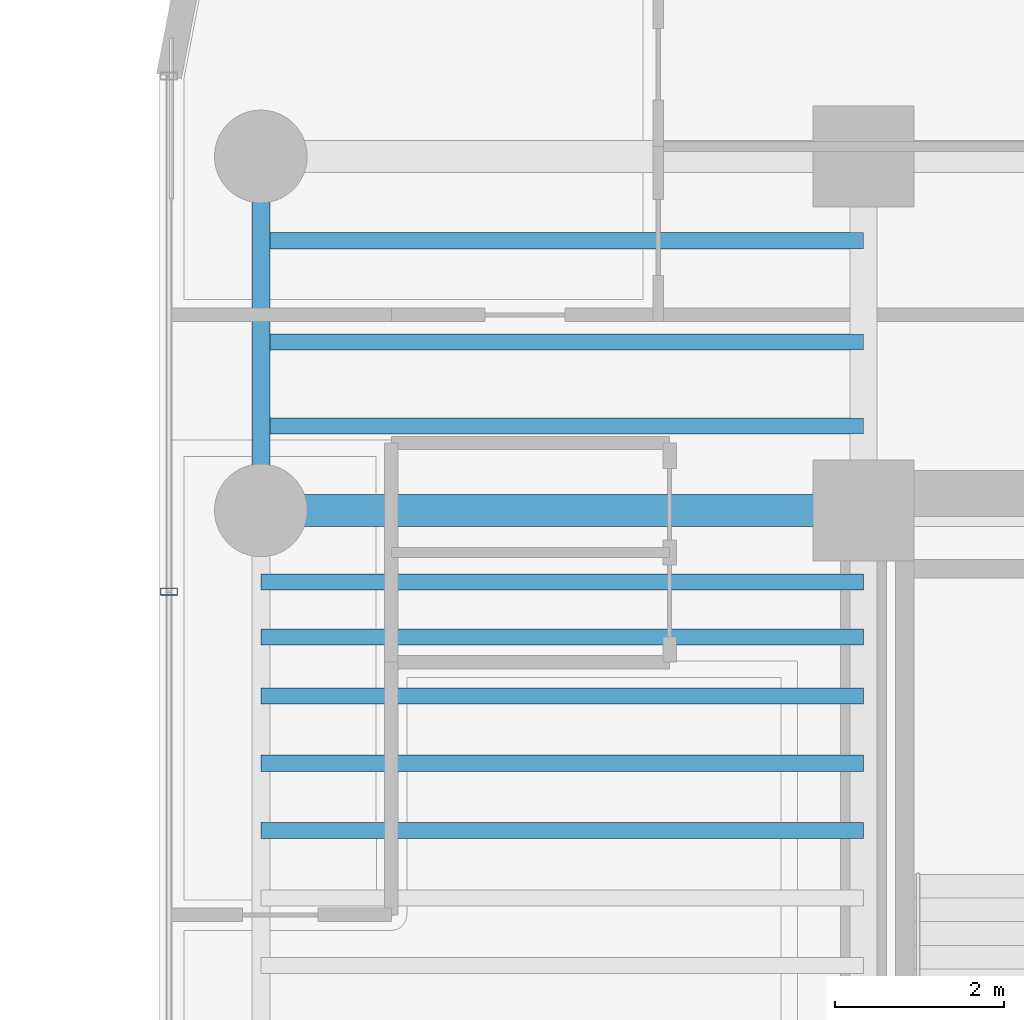
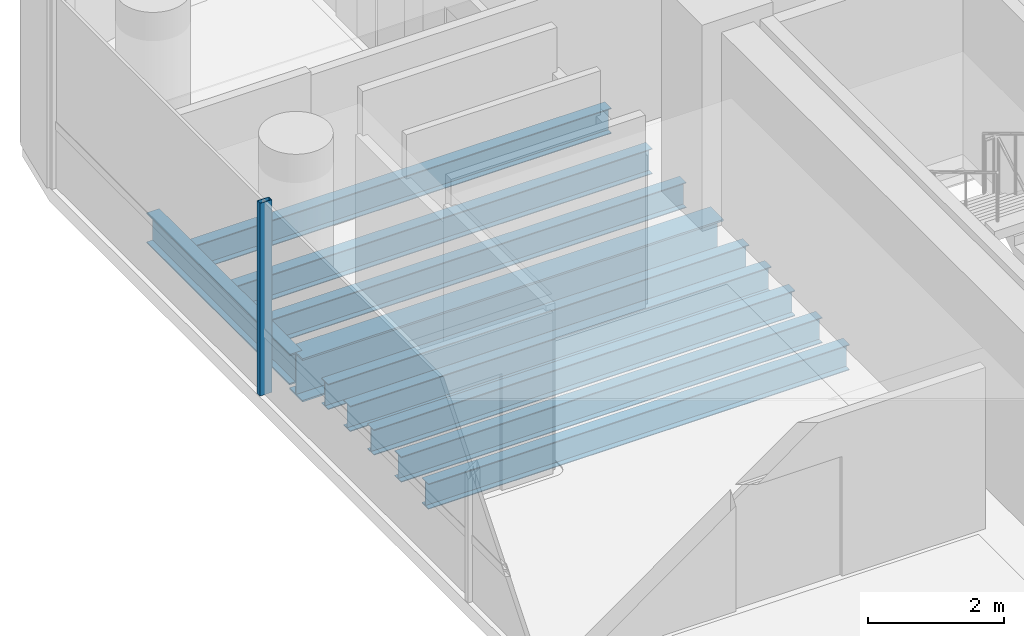
# One storey, part 10 of 34: 10 beams, 1 member, 1 element without a shape of its own.
"""IFC4 building model written with IfcOpenShell, lengths in metres."""

import ifcopenshell
import ifcopenshell.guid

model = None  # the IFC model being written
_history = None  # IfcOwnerHistory: only IFC2X3 demands one
_inside = {}  # id of a spatial element -> (the spatial element, [elements in it])
_under = {}  # id of a project, library or spatial element -> (it, [spatial elements below it])
_declared = {}  # id of a project -> (the project, [libraries it declares])
_typed = {}  # id of a type object -> (the type object, [elements of that type])
_made_of = {}  # id of a material, layer set ... -> (it, [elements and type objects made of it])


def new_model(schema):
    """Start an empty IFC model of exactly this schema.

    Asked for "IFC4X3", IfcOpenShell would pick the latest addendum, in which some entities
    have other attributes; the version numbers below select the first issue.
    IFC2X3 requires an IfcOwnerHistory on every rooted entity: one is made here for all.
    """
    global model, _history
    if schema == "IFC4X3":
        model = ifcopenshell.file(schema_version=(4, 3, 0, 0))
    else:
        model = ifcopenshell.file(schema=schema)
    _inside.clear()
    _under.clear()
    _declared.clear()
    _typed.clear()
    _made_of.clear()
    _history = None
    if model.schema == "IFC2X3":
        org = make("IfcOrganization", Name="unknown")
        user = make(
            "IfcPersonAndOrganization",
            ThePerson=make("IfcPerson", FamilyName="unknown"),
            TheOrganization=org,
        )
        app = make(
            "IfcApplication",
            ApplicationDeveloper=org,
            Version="unknown",
            ApplicationFullName="unknown",
            ApplicationIdentifier="unknown",
        )
        _history = make(
            "IfcOwnerHistory",
            OwningUser=user,
            OwningApplication=app,
            ChangeAction="ADDED",
            CreationDate=0,
        )
    return model


def make(cls, **values):
    """One entity of the class cls with the attributes given. An attribute that is None is left unset."""
    return model.create_entity(
        cls, **{name: value for name, value in values.items() if value is not None}
    )


def rooted(cls, **values):
    """An entity with a GlobalId (a new one), such as an element, a storey or a relation."""
    return make(cls, GlobalId=ifcopenshell.guid.new(), OwnerHistory=_history, **values)


def si_unit(unit_type, name, prefix=None):
    """IfcSIUnit, for example si_unit("LENGTHUNIT", "METRE", prefix="MILLI")."""
    return make("IfcSIUnit", UnitType=unit_type, Prefix=prefix, Name=name)


def assignment(units):
    """IfcUnitAssignment: the units of a project."""
    return None if units is None else make("IfcUnitAssignment", Units=units)


def point(xyz):
    """IfcCartesianPoint."""
    return None if xyz is None else make("IfcCartesianPoint", Coordinates=xyz)


def direction(xyz):
    """IfcDirection."""
    return None if xyz is None else make("IfcDirection", DirectionRatios=xyz)


def frame(location, z_axis=None, x_axis=None):
    """IfcAxis2Placement3D, a coordinate frame: its origin and axes. An axis left out is left unset."""
    return make(
        "IfcAxis2Placement3D",
        Location=point(location),
        Axis=direction(z_axis),
        RefDirection=direction(x_axis),
    )


def frame_2d(location, x_axis=None):
    """IfcAxis2Placement2D, a coordinate frame in the plane: its origin and x axis."""
    return make(
        "IfcAxis2Placement2D", Location=point(location), RefDirection=direction(x_axis)
    )


def origin():
    """The frame at (0, 0, 0) with its axes left unset."""
    return frame((0.0, 0.0, 0.0))


def origin_2d():
    """The frame at (0, 0) in the plane with its x axis left unset."""
    return frame_2d((0.0, 0.0))


def place(relative_to, where):
    """IfcLocalPlacement: puts the frame where relative to a parent placement (None: the world)."""
    return make(
        "IfcLocalPlacement", PlacementRelTo=relative_to, RelativePlacement=where
    )


def context(
    kind, dimensions, precision=None, world=None, true_north=None, identifier=None
):
    """IfcGeometricRepresentationContext, for example the 3D "Model" context."""
    return make(
        "IfcGeometricRepresentationContext",
        ContextIdentifier=identifier,
        ContextType=kind,
        CoordinateSpaceDimension=dimensions,
        Precision=precision,
        WorldCoordinateSystem=world,
        TrueNorth=true_north,
    )


def subcontext(parent, identifier, kind, view, scale=None):
    """IfcGeometricRepresentationSubContext, for example "Body" below "Model"."""
    return make(
        "IfcGeometricRepresentationSubContext",
        ContextIdentifier=identifier,
        ContextType=kind,
        ParentContext=parent,
        TargetScale=scale,
        TargetView=view,
    )


def project(units=None, contexts=None):
    """IfcProject with its units and contexts."""
    return rooted(
        "IfcProject",
        Name="project",
        RepresentationContexts=contexts,
        UnitsInContext=assignment(units),
    )


def spatial(cls, under=None, at=None, **own):
    """A site, building, storey or space (cls), placed at a placement, below another one or the project."""
    s = rooted(cls, ObjectPlacement=at, **own)
    if under is not None:
        _under.setdefault(under.id(), (under, []))[1].append(s)
    return s


def profile(cls, at=None, kind="AREA", **sizes):
    """A parametric profile (cls). Its sizes go by their IFC names, for example OverallWidth=200.0."""
    return make(cls, ProfileType=kind, Position=at, **sizes)


def hollow_rectangle(**sizes):
    """IfcRectangleHollowProfileDef."""
    return profile("IfcRectangleHollowProfileDef", **sizes)


def i_section(**sizes):
    """IfcIShapeProfileDef."""
    return profile("IfcIShapeProfileDef", **sizes)


def extrude(swept, where, along, depth):
    """IfcExtrudedAreaSolid: the profile swept, set in the frame where, extruded along a direction by depth."""
    return make(
        "IfcExtrudedAreaSolid",
        SweptArea=swept,
        Position=where,
        ExtrudedDirection=direction(along),
        Depth=depth,
    )


def shape(context_of_items, identifier, shape_type, items):
    """IfcShapeRepresentation: the items that make up one representation, for example the "Body"."""
    return make(
        "IfcShapeRepresentation",
        ContextOfItems=context_of_items,
        RepresentationIdentifier=identifier,
        RepresentationType=shape_type,
        Items=items,
    )


def source(mapping_origin, context_of_items, identifier, shape_type, items):
    """IfcRepresentationMap: a shape defined once, which mapped items show again and again."""
    return make(
        "IfcRepresentationMap",
        MappingOrigin=mapping_origin,
        MappedRepresentation=shape(context_of_items, identifier, shape_type, items),
    )


def transform(
    local_origin,
    x_axis=None,
    y_axis=None,
    z_axis=None,
    scale=None,
    scale2=None,
    scale3=None,
    uniform=True,
):
    """IfcCartesianTransformationOperator3D, or its non-uniform kind. x_axis, y_axis, z_axis: its Axis1, 2, 3."""
    if uniform:
        return make(
            "IfcCartesianTransformationOperator3D",
            Axis1=direction(x_axis),
            Axis2=direction(y_axis),
            LocalOrigin=point(local_origin),
            Scale=scale,
            Axis3=direction(z_axis),
        )
    return make(
        "IfcCartesianTransformationOperator3DnonUniform",
        Axis1=direction(x_axis),
        Axis2=direction(y_axis),
        LocalOrigin=point(local_origin),
        Scale=scale,
        Axis3=direction(z_axis),
        Scale2=scale2,
        Scale3=scale3,
    )


def mapped(mapping_source, mapping_target):
    """IfcMappedItem: shows the shape of a source again, moved by a transform."""
    return make(
        "IfcMappedItem", MappingSource=mapping_source, MappingTarget=mapping_target
    )


def material(Name=None, Category=None):
    """IfcMaterial."""
    return make("IfcMaterial", Name=Name, Category=Category)


def material_profile(
    of_material, cross_section, Name=None, Category=None, Priority=None
):
    """IfcMaterialProfile: a cross section and its material."""
    return make(
        "IfcMaterialProfile",
        Name=Name,
        Material=of_material,
        Profile=cross_section,
        Priority=Priority,
        Category=Category,
    )


def profile_set(profiles, Name=None, composite=None):
    """IfcMaterialProfileSet."""
    return make(
        "IfcMaterialProfileSet",
        Name=Name,
        MaterialProfiles=profiles,
        CompositeProfile=composite,
    )


def made_of(thing, what):
    """Note that an element or type object is made of a material, layer set ...; save() writes the relation."""
    if what is not None:
        _made_of.setdefault(what.id(), (what, []))[1].append(thing)
    return thing


def type_object(cls, material=None, **own):
    """A type object (cls), such as IfcWallType, which elements share."""
    return made_of(rooted(cls, **own), material)


def element(
    cls,
    number,
    at=None,
    inside=None,
    cuts=None,
    type_object=None,
    material=None,
    context=None,
    identifier="Body",
    shape_type=None,
    held_by="IfcProductDefinitionShape",
    body=None,
    shapes=None,
    **own,
):
    """One element of the class cls, such as IfcWall. Its Tag is "e" and its number.

    at: its placement. inside: the storey or other place that contains it. cuts: it is an
    opening in that element (IfcRelVoidsElement). A single representation is given by context,
    identifier, shape_type and body (its items); several are given by shapes. held_by: the class
    of the entity that holds the representations. save() writes the other relations.
    """
    e = rooted(cls, Tag="e%d" % number, ObjectPlacement=at, **own)
    if body is not None:
        shapes = [shape(context, identifier, shape_type, body)]
    if shapes is not None:
        e.Representation = make(held_by, Representations=shapes)
    if inside is not None:
        _inside.setdefault(inside.id(), (inside, []))[1].append(e)
    if cuts is not None:
        rooted(
            "IfcRelVoidsElement", RelatingBuildingElement=cuts, RelatedOpeningElement=e
        )
    if type_object is not None:
        _typed.setdefault(type_object.id(), (type_object, []))[1].append(e)
    return made_of(e, material)


def aggregate(whole, parts):
    """IfcRelAggregates: a whole, such as a stair, and the parts it consists of."""
    return rooted("IfcRelAggregates", RelatingObject=whole, RelatedObjects=parts)


def save(model, path):
    """Write the relations noted so far, then the file.

    IfcRelAggregates (storeys below a building ...), IfcRelContainedInSpatialStructure (elements
    in a storey), IfcRelDefinesByType, IfcRelAssociatesMaterial and IfcRelDeclares: one each for
    every whole, place, type object, material and project.
    """
    for whole, parts in _under.values():
        aggregate(whole, parts)
    for where, things in _inside.values():
        rooted(
            "IfcRelContainedInSpatialStructure",
            RelatedElements=things,
            RelatingStructure=where,
        )
    for kind, things in _typed.values():
        rooted("IfcRelDefinesByType", RelatedObjects=things, RelatingType=kind)
    for what, things in _made_of.values():
        rooted("IfcRelAssociatesMaterial", RelatedObjects=things, RelatingMaterial=what)
    for by, libraries in _declared.values():
        rooted("IfcRelDeclares", RelatingContext=by, RelatedDefinitions=libraries)
    model.write(path)


model = new_model("IFC4")

# Units and contexts
model_context = context("Model", 3, precision=1e-05, world=origin(), true_north=direction((0.0, 1.0)))
body_context = subcontext(model_context, "Body", "Model", "MODEL_VIEW")
ifc_project = project(units=[si_unit("LENGTHUNIT", "METRE"), si_unit("AREAUNIT", "SQUARE_METRE"), si_unit("VOLUMEUNIT", "CUBIC_METRE"), si_unit("PLANEANGLEUNIT", "RADIAN"), si_unit("MASSUNIT", "GRAM", prefix="KILO")], contexts=[model_context])

# Site, building, storey
site_placement = place(None, origin())
site = spatial("IfcSite", under=ifc_project, at=site_placement, CompositionType="ELEMENT")
building_placement = place(site_placement, origin())
building = spatial("IfcBuilding", under=site, at=building_placement, Name="Valdorenza Pilgrim Sanctuary Tower", CompositionType="ELEMENT")
storey_placement = place(building_placement, frame((0.0, 0.0, 164.89990234375)))
storey = spatial("IfcBuildingStorey", under=building, at=storey_placement, Name="L42", CompositionType="ELEMENT", Elevation=164.89990234375)

# Beams
ifc_material_1 = material(Name="Steel ASTM A992 Grade 50", Category="steel")
ifc_material_profile_1 = material_profile(ifc_material_1, i_section(OverallWidth=0.214111328125, OverallDepth=0.549072265625, WebThickness=0.0146484375, FlangeThickness=0.023681640625, at=origin_2d()), Name="W21X93")
ifc_profile_set_1 = profile_set([ifc_material_profile_1], Name="Steel ASTM A992 Grade 50")
beam_type_1 = type_object("IfcBeamType", Name="STR-BM-SPN-W21A", PredefinedType="SPANDREL", material=ifc_profile_set_1)
shared_shape_1 = source(origin(), body_context, "Body", "SweptSolid", [
    extrude(i_section(OverallWidth=0.214111328125, OverallDepth=0.549072265625, WebThickness=0.0146484375, FlangeThickness=0.023681640625, at=origin_2d()), origin(), (0.0, 0.0, 1.0), 4.199951171875),
])
beam_1_placement = place(storey_placement, frame((-29.800048828125, 10.60009765625, -0.514404296875), z_axis=(0.0, 1.0, 0.0), x_axis=(-1.0, 0.0, 0.0)))
element("IfcBeam", 1, at=beam_1_placement, inside=storey, type_object=beam_type_1, Name="L42 Spandrel Beam WA-W-N1N2", PredefinedType="SPANDREL", context=body_context, shape_type="MappedRepresentation", body=[
    mapped(shared_shape_1, transform((0.0, 0.0, 0.0), x_axis=(1.0, 0.0, 0.0), y_axis=(0.0, 1.0, 0.0), z_axis=(0.0, 0.0, 1.0), scale=1.0)),
])
ifc_material_profile_2 = material_profile(ifc_material_1, i_section(OverallWidth=0.382080078125, OverallDepth=0.779052734375, WebThickness=0.01806640625, FlangeThickness=0.030029296875, at=origin_2d()), Name="W30X191")
ifc_profile_set_2 = profile_set([ifc_material_profile_2], Name="Steel ASTM A992 Grade 50")
beam_type_2 = type_object("IfcBeamType", Name="STR-BM-GRD-W30", PredefinedType="BEAM", material=ifc_profile_set_2)
shared_shape_2 = source(origin(), body_context, "Body", "SweptSolid", [
    extrude(i_section(OverallWidth=0.382080078125, OverallDepth=0.779052734375, WebThickness=0.01806640625, FlangeThickness=0.030029296875, at=origin_2d()), origin(), (0.0, 0.0, 1.0), 7.150146484375),
])
beam_2_placement = place(storey_placement, frame((-29.800048828125, 10.60009765625, -0.62939453125), z_axis=(1.0, 0.0, 0.0), x_axis=(0.0, 1.0, 0.0)))
element("IfcBeam", 2, at=beam_2_placement, inside=storey, type_object=beam_type_2, Name="L42 Floor Girder WA-XW-N1", PredefinedType="BEAM", context=body_context, shape_type="MappedRepresentation", body=[
    mapped(shared_shape_2, transform((0.0, 0.0, 0.0), x_axis=(1.0, 0.0, 0.0), y_axis=(0.0, 1.0, 0.0), z_axis=(0.0, 0.0, 1.0), scale=1.0)),
])
ifc_material_profile_3 = material_profile(ifc_material_1, i_section(OverallWidth=0.19091796875, OverallDepth=0.45703125, WebThickness=0.009033203125, FlangeThickness=0.014404296875, at=origin_2d()), Name="W18X50")
ifc_profile_set_3 = profile_set([ifc_material_profile_3], Name="Steel ASTM A992 Grade 50")
beam_type_3 = type_object("IfcBeamType", Name="STR-BM-JST-W18B", PredefinedType="JOIST", material=ifc_profile_set_3)
shared_shape_3 = source(origin(), body_context, "Body", "SweptSolid", [
    extrude(i_section(OverallWidth=0.19091796875, OverallDepth=0.45703125, WebThickness=0.009033203125, FlangeThickness=0.014404296875, at=origin_2d()), origin(), (0.0, 0.0, 1.0), 7.150146484375),
])
for number, where, z_axis, x_axis, name in (
    (3, (-29.800048828125, 6.800048828125, -0.468505859375), (1.0, 0.0, 0.0), (0.0, 1.0, 0.0), "L42 Composite Floor Joist JST-WA-19"),
    (4, (-29.800048828125, 7.60009765625, -0.468505859375), (1.0, 0.0, 0.0), (0.0, 1.0, 0.0), "L42 Composite Floor Joist JST-WA-20"),
    (5, (-29.800048828125, 8.39990234375, -0.468505859375), (1.0, 0.0, 0.0), (0.0, 1.0, 0.0), "L42 Composite Floor Joist JST-WA-21"),
    (6, (-29.800048828125, 9.10009765625, -0.468505859375), (1.0, 0.0, 0.0), (0.0, 1.0, 0.0), "L42 Composite Floor Joist JST-WA-22"),
    (7, (-29.800048828125, 9.75, -0.468505859375), (1.0, 0.0, 0.0), (0.0, 1.0, 0.0), "L42 Composite Floor Joist JST-WA-23"),
    (8, (-29.800048828125, 11.60009765625, -0.468505859375), (1.0, 0.0, 0.0), (0.0, 1.0, 0.0), "L42 Composite Floor Joist JST-WA-24"),
    (9, (-29.800048828125, 12.60009765625, -0.468505859375), (1.0, 0.0, 0.0), (0.0, 1.0, 0.0), "L42 Composite Floor Joist JST-WA-25"),
    (10, (-29.800048828125, 13.800048828125, -0.468505859375), (1.0, 0.0, 0.0), (0.0, 1.0, 0.0), "L42 Composite Floor Joist JST-WA-26"),
):
    element("IfcBeam", number, at=place(storey_placement, frame(where, z_axis=z_axis, x_axis=x_axis)), inside=storey, type_object=beam_type_3, Name=name, PredefinedType="JOIST", context=body_context, shape_type="MappedRepresentation", body=[
        mapped(shared_shape_3, transform((0.0, 0.0, 0.0), x_axis=(1.0, 0.0, 0.0), y_axis=(0.0, 1.0, 0.0), z_axis=(0.0, 0.0, 1.0), scale=1.0)),
    ])

# Curtain wall, member
ifc_material_2 = material(Name="Curtain-wall IGU glazing", Category="glass")
curtain_wall_type = type_object("IfcCurtainWallType", Name="CW-SYS-02", PredefinedType="NOTDEFINED", material=ifc_material_2)
curtain_wall_placement = place(storey_placement, origin())
curtain_wall = element("IfcCurtainWall", 11, at=curtain_wall_placement, inside=storey, type_object=curtain_wall_type, Name="L42 Curtain Wall CW-L42-1-1S2", PredefinedType="NOTDEFINED")
ifc_material_3 = material(Name="Anodised aluminium AW-6060", Category="aluminium")
ifc_material_profile_4 = material_profile(ifc_material_3, hollow_rectangle(XDim=0.0849609375, YDim=0.199951171875, WallThickness=0.0048828125, at=origin_2d()), Name="ALU-M 200x85x5")
ifc_profile_set_4 = profile_set([ifc_material_profile_4], Name="Anodised aluminium AW-6060")
member_type = type_object("IfcMemberType", Name="CW-MUL-02", PredefinedType="MULLION", material=ifc_profile_set_4)
shared_shape_4 = source(origin(), body_context, "Body", "SweptSolid", [
    extrude(hollow_rectangle(XDim=0.0849609375, YDim=0.199951171875, WallThickness=0.0048828125, at=origin_2d()), origin(), (0.0, 0.0, 1.0), 3.460205078125),
])
member_placement = place(storey_placement, frame((-30.889892578125, 9.635986328125, 0.0), z_axis=(0.0, 0.0, 1.0), x_axis=(0.0, 1.0, 0.0)))
member = element("IfcMember", 12, at=member_placement, type_object=member_type, Name="CW-L42-1-1S2 Mullion 3", PredefinedType="MULLION", context=body_context, shape_type="MappedRepresentation", body=[
    mapped(shared_shape_4, transform((0.0, 0.0, 0.0), x_axis=(1.0, 0.0, 0.0), y_axis=(0.0, 1.0, 0.0), z_axis=(0.0, 0.0, 1.0), scale=1.0)),
])
aggregate(curtain_wall, [member])

save(model, "model.ifc")
